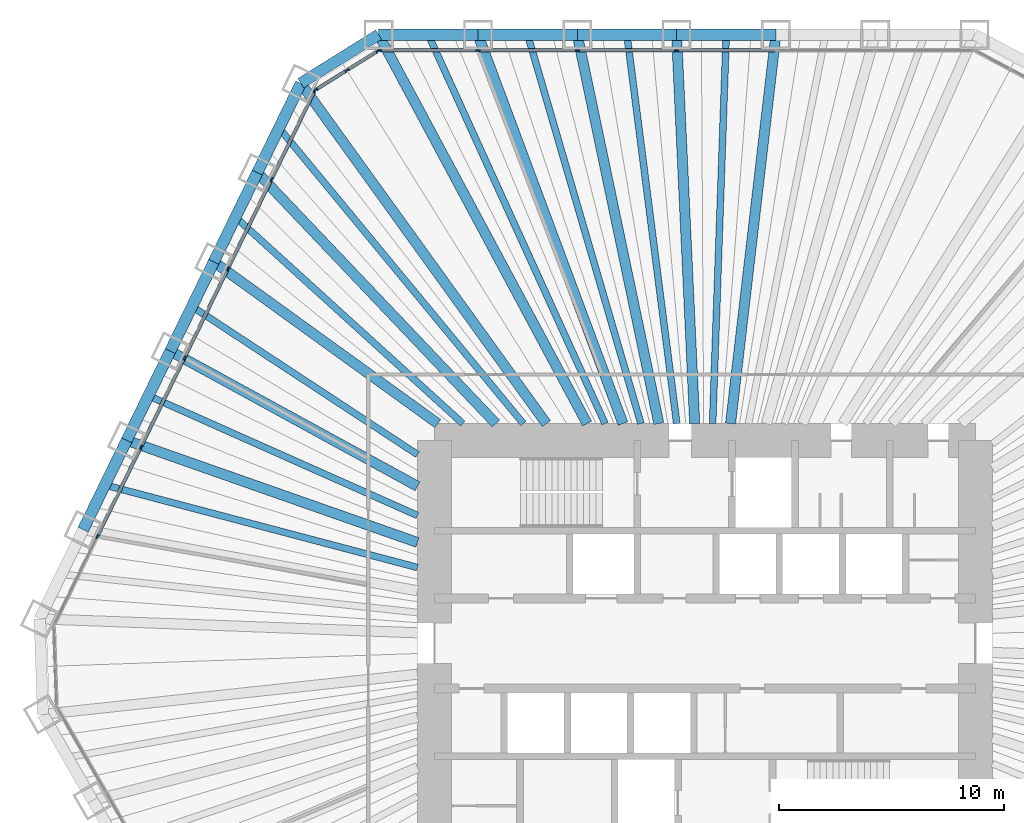
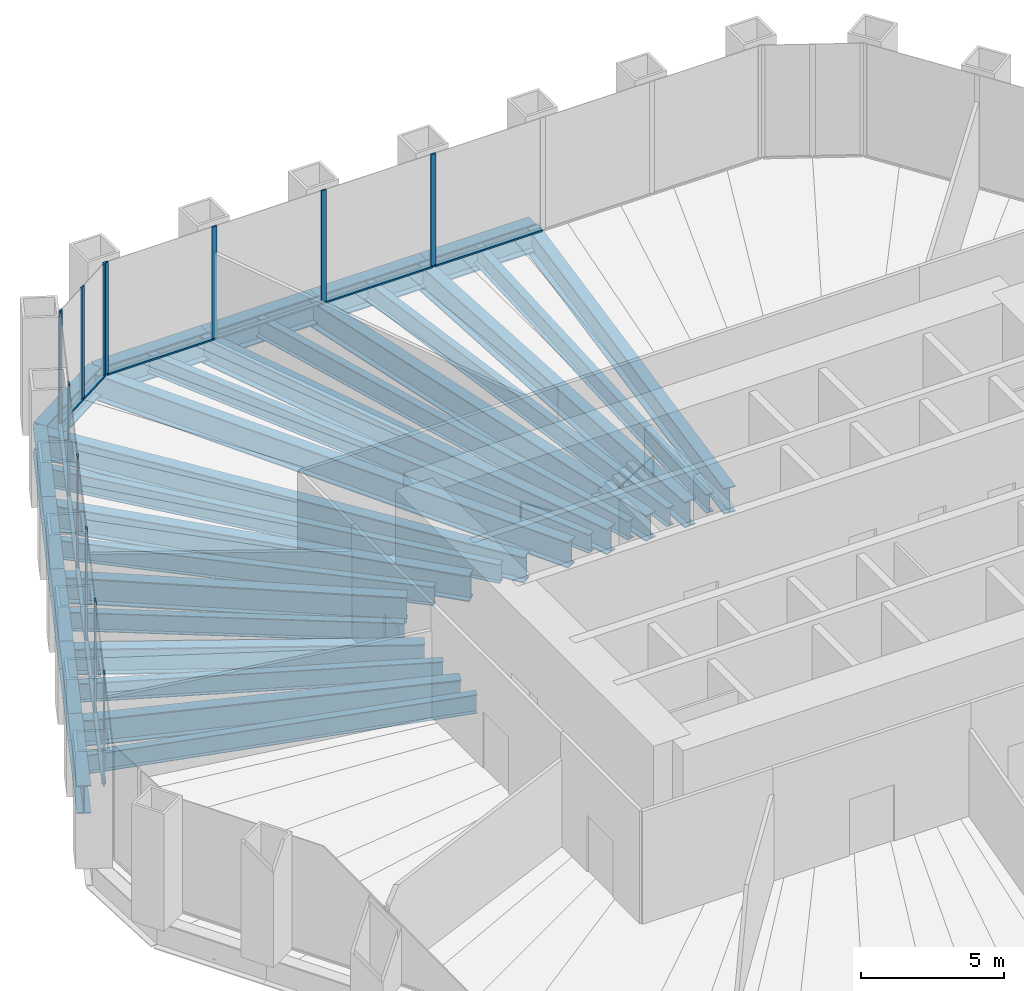
# One storey, part 6 of 13: 29 beams, 24 members, 3 elements without a shape of their own.
"""IFC4 building model written with IfcOpenShell, lengths in metres."""

from ifc_helpers import new_model, si_unit, direction, frame, origin, origin_2d, place, context, subcontext, project, spatial, rectangle, i_section, extrude, material, material_profile, profile_set, type_object, element, aggregate, save


model = new_model("IFC4")

# Units and contexts
model_context = context("Model", 3, precision=1e-05, world=origin(), true_north=direction((0.0, 1.0)))
body_context = subcontext(model_context, "Body", "Model", "MODEL_VIEW")
ifc_project = project(units=[si_unit("LENGTHUNIT", "METRE"), si_unit("AREAUNIT", "SQUARE_METRE"), si_unit("VOLUMEUNIT", "CUBIC_METRE"), si_unit("PLANEANGLEUNIT", "RADIAN"), si_unit("MASSUNIT", "GRAM", prefix="KILO")], contexts=[model_context])

# Site, building, storey
site_placement = place(None, origin())
site = spatial("IfcSite", under=ifc_project, at=site_placement, CompositionType="ELEMENT")
building_placement = place(site_placement, origin())
building = spatial("IfcBuilding", under=site, at=building_placement, Name="Qingtian Harvest Tower", CompositionType="ELEMENT")
storey_placement = place(building_placement, frame((0.0, 0.0, 22.0)))
storey = spatial("IfcBuildingStorey", under=building, at=storey_placement, Name="L04", CompositionType="ELEMENT", Elevation=22.0)

# Beams
ifc_material_1 = material(Name="Steel SM570MC", Category="steel")
ifc_material_profile_1 = material_profile(ifc_material_1, i_section(OverallWidth=0.449951171875, OverallDepth=1.10009765625, WebThickness=0.02197265625, FlangeThickness=0.044921875, at=origin_2d()), Name="H1100x450x22x45")
ifc_profile_set_1 = profile_set([ifc_material_profile_1], Name="Steel SM570MC")
beam_type_1 = type_object("IfcBeamType", Name="Corner floor beam FB8 H1100x450x22x45", PredefinedType="BEAM", material=ifc_profile_set_1)
beam_1_placement = place(storey_placement, frame((-14.471435546875, 27.0, -0.75), z_axis=(0.472401408299, -0.881383520062, 0.0), x_axis=(0.881383520062, 0.472401408299, 0.0)))
element("IfcBeam", 1, at=beam_1_placement, inside=storey, type_object=beam_type_1, Name="Floor beam FB8 N0", PredefinedType="BEAM", context=body_context, shape_type="SweptSolid", body=[
    extrude(i_section(OverallWidth=0.449951171875, OverallDepth=1.10009765625, WebThickness=0.02197265625, FlangeThickness=0.044921875, at=origin_2d()), origin(), (0.0, 0.0, 1.0), 19.571533203125),
])
beam_2_placement = place(storey_placement, frame((-17.923583984375, 24.8427734375, -0.75), z_axis=(0.585095822328, -0.810964166098, 0.0), x_axis=(0.810964166098, 0.585095822328, 0.0)))
element("IfcBeam", 2, at=beam_2_placement, inside=storey, type_object=beam_type_1, Name="Floor beam FB8 NW6", PredefinedType="BEAM", context=body_context, shape_type="SweptSolid", body=[
    extrude(i_section(OverallWidth=0.449951171875, OverallDepth=1.10009765625, WebThickness=0.02197265625, FlangeThickness=0.044921875, at=origin_2d()), origin(), (0.0, 0.0, 1.0), 18.61083984375),
])
ifc_material_2 = material(Name="Steel SM570MC", Category="steel")
ifc_material_profile_2 = material_profile(ifc_material_2, i_section(OverallWidth=0.449951171875, OverallDepth=1.10009765625, WebThickness=0.02197265625, FlangeThickness=0.044921875, at=origin_2d()), Name="H1100x450x22x45")
ifc_profile_set_2 = profile_set([ifc_material_profile_2], Name="Steel SM570MC")
beam_type_2 = type_object("IfcBeamType", Name="Floor beam FB1 H1100x450x22x45", PredefinedType="BEAM", material=ifc_profile_set_2)
beam_3_placement = place(storey_placement, frame((-10.06689453125, 27.0, -0.75), z_axis=(0.349355612113, -0.936990211414, 0.0), x_axis=(0.936990211414, 0.349355612113, 0.0)))
element("IfcBeam", 3, at=beam_3_placement, inside=storey, type_object=beam_type_2, Name="Floor beam FB1 N1", PredefinedType="BEAM", context=body_context, shape_type="SweptSolid", body=[
    extrude(i_section(OverallWidth=0.449951171875, OverallDepth=1.10009765625, WebThickness=0.02197265625, FlangeThickness=0.044921875, at=origin_2d()), origin(), (0.0, 0.0, 1.0), 18.409912109375),
])
beam_4_placement = place(storey_placement, frame((-5.662353515625, 27.0, -0.75), z_axis=(0.205255077335, -0.978708512903, 0.0), x_axis=(0.978708512903, 0.205255077335, 0.0)))
element("IfcBeam", 4, at=beam_4_placement, inside=storey, type_object=beam_type_2, Name="Floor beam FB1 N2", PredefinedType="BEAM", context=body_context, shape_type="SweptSolid", body=[
    extrude(i_section(OverallWidth=0.449951171875, OverallDepth=1.10009765625, WebThickness=0.02197265625, FlangeThickness=0.044921875, at=origin_2d()), origin(), (0.0, 0.0, 1.0), 17.625244140625),
])
beam_5_placement = place(storey_placement, frame((-1.257568359375, 27.0, -0.75), z_axis=(0.046527342366, -0.99891701678, 0.0), x_axis=(0.99891701678, 0.046527342366, 0.0)))
element("IfcBeam", 5, at=beam_5_placement, inside=storey, type_object=beam_type_2, Name="Floor beam FB1 N3", PredefinedType="BEAM", context=body_context, shape_type="SweptSolid", body=[
    extrude(i_section(OverallWidth=0.449951171875, OverallDepth=1.10009765625, WebThickness=0.02197265625, FlangeThickness=0.044921875, at=origin_2d()), origin(), (0.0, 0.0, 1.0), 17.268798828125),
])
beam_6_placement = place(storey_placement, frame((3.14697265625, 27.0, -0.75), z_axis=(-0.115766971807, -0.993276400726, 0.0), x_axis=(0.993276400726, -0.115766971807, 0.0)))
element("IfcBeam", 6, at=beam_6_placement, inside=storey, type_object=beam_type_2, Name="Floor beam FB1 N4", PredefinedType="BEAM", context=body_context, shape_type="SweptSolid", body=[
    extrude(i_section(OverallWidth=0.449951171875, OverallDepth=1.10009765625, WebThickness=0.02197265625, FlangeThickness=0.044921875, at=origin_2d()), origin(), (0.0, 0.0, 1.0), 17.36669921875),
])
beam_7_placement = place(storey_placement, frame((-25.64697265625, 9.007568359375, -0.75), z_axis=(0.943501950009, -0.331366972296, 0.0), x_axis=(0.331366972296, 0.943501950009, 0.0)))
element("IfcBeam", 7, at=beam_7_placement, inside=storey, type_object=beam_type_2, Name="Floor beam FB1 NW2", PredefinedType="BEAM", context=body_context, shape_type="SweptSolid", body=[
    extrude(i_section(OverallWidth=0.449951171875, OverallDepth=1.10009765625, WebThickness=0.02197265625, FlangeThickness=0.044921875, at=origin_2d()), origin(), (0.0, 0.0, 1.0), 13.669189453125),
])
beam_8_placement = place(storey_placement, frame((-23.716064453125, 12.96630859375, -0.75), z_axis=(0.877428569154, -0.479707312882, 0.0), x_axis=(0.479707312882, 0.877428569154, 0.0)))
element("IfcBeam", 8, at=beam_8_placement, inside=storey, type_object=beam_type_2, Name="Floor beam FB1 NW3", PredefinedType="BEAM", context=body_context, shape_type="SweptSolid", body=[
    extrude(i_section(OverallWidth=0.449951171875, OverallDepth=1.10009765625, WebThickness=0.02197265625, FlangeThickness=0.044921875, at=origin_2d()), origin(), (0.0, 0.0, 1.0), 12.498046875),
])
beam_9_placement = place(storey_placement, frame((-21.78515625, 16.92529296875, -0.75), z_axis=(0.810680279019, -0.585489099139, 0.0), x_axis=(0.585489099139, 0.810680279019, 0.0)))
element("IfcBeam", 9, at=beam_9_placement, inside=storey, type_object=beam_type_2, Name="Floor beam FB1 NW4", PredefinedType="BEAM", context=body_context, shape_type="SweptSolid", body=[
    extrude(i_section(OverallWidth=0.449951171875, OverallDepth=1.10009765625, WebThickness=0.02197265625, FlangeThickness=0.044921875, at=origin_2d()), origin(), (0.0, 0.0, 1.0), 12.255126953125),
])
beam_10_placement = place(storey_placement, frame((-19.8544921875, 20.884033203125, -0.75), z_axis=(0.689018801535, -0.724743465739, 0.0), x_axis=(0.724743465739, 0.689018801535, 0.0)))
element("IfcBeam", 10, at=beam_10_placement, inside=storey, type_object=beam_type_2, Name="Floor beam FB1 NW5", PredefinedType="BEAM", context=body_context, shape_type="SweptSolid", body=[
    extrude(i_section(OverallWidth=0.449951171875, OverallDepth=1.10009765625, WebThickness=0.02197265625, FlangeThickness=0.044921875, at=origin_2d()), origin(), (0.0, 0.0, 1.0), 15.36279296875),
])
ifc_material_3 = material(Name="Steel SN490B", Category="steel")
ifc_material_profile_3 = material_profile(ifc_material_3, i_section(OverallWidth=0.300048828125, OverallDepth=0.800048828125, WebThickness=0.013916015625, FlangeThickness=0.02587890625, at=origin_2d()), Name="H800x300x14x26")
ifc_profile_set_3 = profile_set([ifc_material_profile_3], Name="Steel SN490B")
beam_type_3 = type_object("IfcBeamType", Name="Floor joist J1 H800x300x14x26", PredefinedType="JOIST", material=ifc_profile_set_3)
beam_11_placement = place(storey_placement, frame((-12.269287109375, 27.0, -0.60009765625), z_axis=(0.413713629402, -0.910407069858, 0.0), x_axis=(0.910407069858, 0.413713629402, 0.0)))
element("IfcBeam", 11, at=beam_11_placement, inside=storey, type_object=beam_type_3, Name="Floor joist J1 N0", PredefinedType="JOIST", context=body_context, shape_type="SweptSolid", body=[
    extrude(i_section(OverallWidth=0.300048828125, OverallDepth=0.800048828125, WebThickness=0.013916015625, FlangeThickness=0.02587890625, at=origin_2d()), origin(), (0.0, 0.0, 1.0), 18.947509765625),
])
beam_12_placement = place(storey_placement, frame((-7.864501953125, 27.0, -0.60009765625), z_axis=(0.279649335299, -0.960102207719, 0.0), x_axis=(0.960102207719, 0.279649335299, 0.0)))
element("IfcBeam", 12, at=beam_12_placement, inside=storey, type_object=beam_type_3, Name="Floor joist J1 N1", PredefinedType="JOIST", context=body_context, shape_type="SweptSolid", body=[
    extrude(i_section(OverallWidth=0.300048828125, OverallDepth=0.800048828125, WebThickness=0.013916015625, FlangeThickness=0.02587890625, at=origin_2d()), origin(), (0.0, 0.0, 1.0), 17.966796875),
])
beam_13_placement = place(storey_placement, frame((-3.4599609375, 27.0, -0.60009765625), z_axis=(0.127102696173, -0.991889562716, 0.0), x_axis=(0.991889562716, 0.127102696173, 0.0)))
element("IfcBeam", 13, at=beam_13_placement, inside=storey, type_object=beam_type_3, Name="Floor joist J1 N2", PredefinedType="JOIST", context=body_context, shape_type="SweptSolid", body=[
    extrude(i_section(OverallWidth=0.300048828125, OverallDepth=0.800048828125, WebThickness=0.013916015625, FlangeThickness=0.02587890625, at=origin_2d()), origin(), (0.0, 0.0, 1.0), 17.39111328125),
])
beam_14_placement = place(storey_placement, frame((0.944580078125, 27.0, -0.60009765625), z_axis=(-0.034965020137, -0.99938853674, 0.0), x_axis=(0.99938853674, -0.034965020137, 0.0)))
element("IfcBeam", 14, at=beam_14_placement, inside=storey, type_object=beam_type_3, Name="Floor joist J1 N3", PredefinedType="JOIST", context=body_context, shape_type="SweptSolid", body=[
    extrude(i_section(OverallWidth=0.300048828125, OverallDepth=0.800048828125, WebThickness=0.013916015625, FlangeThickness=0.02587890625, at=origin_2d()), origin(), (0.0, 0.0, 1.0), 17.260498046875),
])
beam_15_placement = place(storey_placement, frame((-26.6123046875, 7.028076171875, -0.60009765625), z_axis=(0.966852496992, -0.255335561684, 0.0), x_axis=(0.255335561684, 0.966852496992, 0.0)))
element("IfcBeam", 15, at=beam_15_placement, inside=storey, type_object=beam_type_3, Name="Floor joist J1 NW1", PredefinedType="JOIST", context=body_context, shape_type="SweptSolid", body=[
    extrude(i_section(OverallWidth=0.300048828125, OverallDepth=0.800048828125, WebThickness=0.013916015625, FlangeThickness=0.02587890625, at=origin_2d()), origin(), (0.0, 0.0, 1.0), 14.337646484375),
])
beam_16_placement = place(storey_placement, frame((-24.681640625, 10.987060546875, -0.60009765625), z_axis=(0.913567796195, -0.406686466157, 0.0), x_axis=(0.406686466157, 0.913567796195, 0.0)))
element("IfcBeam", 16, at=beam_16_placement, inside=storey, type_object=beam_type_3, Name="Floor joist J1 NW2", PredefinedType="JOIST", context=body_context, shape_type="SweptSolid", body=[
    extrude(i_section(OverallWidth=0.300048828125, OverallDepth=0.800048828125, WebThickness=0.013916015625, FlangeThickness=0.02587890625, at=origin_2d()), origin(), (0.0, 0.0, 1.0), 13.060546875),
])
beam_17_placement = place(storey_placement, frame((-22.750732421875, 14.94580078125, -0.60009765625), z_axis=(0.835785467613, -0.549056146607, 0.0), x_axis=(0.549056146607, 0.835785467613, 0.0)))
element("IfcBeam", 17, at=beam_17_placement, inside=storey, type_object=beam_type_3, Name="Floor joist J1 NW3", PredefinedType="JOIST", context=body_context, shape_type="SweptSolid", body=[
    extrude(i_section(OverallWidth=0.300048828125, OverallDepth=0.800048828125, WebThickness=0.013916015625, FlangeThickness=0.02587890625, at=origin_2d()), origin(), (0.0, 0.0, 1.0), 11.965576171875),
])
beam_18_placement = place(storey_placement, frame((-20.81982421875, 18.904541015625, -0.60009765625), z_axis=(0.740339866926, -0.672232758381, 0.0), x_axis=(0.672232758381, 0.740339866926, 0.0)))
element("IfcBeam", 18, at=beam_18_placement, inside=storey, type_object=beam_type_3, Name="Floor joist J1 NW4", PredefinedType="JOIST", context=body_context, shape_type="SweptSolid", body=[
    extrude(i_section(OverallWidth=0.300048828125, OverallDepth=0.800048828125, WebThickness=0.013916015625, FlangeThickness=0.02587890625, at=origin_2d()), origin(), (0.0, 0.0, 1.0), 13.6181640625),
])
beam_19_placement = place(storey_placement, frame((-18.888916015625, 22.863525390625, -0.60009765625), z_axis=(0.636910378144, -0.77093785107, 0.0), x_axis=(0.77093785107, 0.636910378144, 0.0)))
element("IfcBeam", 19, at=beam_19_placement, inside=storey, type_object=beam_type_3, Name="Floor joist J1 NW5", PredefinedType="JOIST", context=body_context, shape_type="SweptSolid", body=[
    extrude(i_section(OverallWidth=0.300048828125, OverallDepth=0.800048828125, WebThickness=0.013916015625, FlangeThickness=0.02587890625, at=origin_2d()), origin(), (0.0, 0.0, 1.0), 17.009765625),
])

# Curtain wall, members
ifc_material_4 = material(Name="Bronze-anodised aluminium curtain wall", Category="aluminium")
curtain_wall_type = type_object("IfcCurtainWallType", Name="Curtain wall CW2 farm reception", PredefinedType="USERDEFINED", material=ifc_material_4)
curtain_wall_1_placement = place(storey_placement, origin())
curtain_wall_1 = element("IfcCurtainWall", 20, at=curtain_wall_1_placement, inside=storey, type_object=curtain_wall_type, Name="Curtain wall CW2 L04 N0-5", ObjectType="RECESSED CURTAIN WALL", PredefinedType="USERDEFINED")
ifc_material_5 = material(Name="Bronze-anodised aluminium mullion", Category="aluminium")
ifc_material_profile_4 = material_profile(ifc_material_5, rectangle(XDim=0.06494140625, YDim=0.199951171875, at=origin_2d()), Name="AL 65x200")
ifc_profile_set_4 = profile_set([ifc_material_profile_4], Name="Bronze-anodised aluminium mullion")
member_type_1 = type_object("IfcMemberType", Name="Mullion CWM 65x200", PredefinedType="MULLION", material=ifc_profile_set_4)
member_1_placement = place(storey_placement, frame((-14.43896484375, 26.300048828125, 0.0), z_axis=(0.0, 0.0, 1.0), x_axis=(0.0, 1.0, 0.0)))
member_1 = element("IfcMember", 21, at=member_1_placement, type_object=member_type_1, Name="CW2 mullion 1", PredefinedType="MULLION", context=body_context, shape_type="SweptSolid", body=[
    extrude(rectangle(XDim=0.06494140625, YDim=0.199951171875, at=origin_2d()), origin(), (0.0, 0.0, 1.0), 4.800048828125),
])
member_2_placement = place(storey_placement, frame((-10.06689453125, 26.300048828125, 0.0), z_axis=(0.0, 0.0, 1.0), x_axis=(0.0, 1.0, 0.0)))
member_2 = element("IfcMember", 22, at=member_2_placement, type_object=member_type_1, Name="CW2 mullion 2", PredefinedType="MULLION", context=body_context, shape_type="SweptSolid", body=[
    extrude(rectangle(XDim=0.06494140625, YDim=0.199951171875, at=origin_2d()), origin(), (0.0, 0.0, 1.0), 4.800048828125),
])
member_3_placement = place(storey_placement, frame((-5.662353515625, 26.300048828125, 0.0), z_axis=(0.0, 0.0, 1.0), x_axis=(0.0, 1.0, 0.0)))
member_3 = element("IfcMember", 23, at=member_3_placement, type_object=member_type_1, Name="CW2 mullion 3", PredefinedType="MULLION", context=body_context, shape_type="SweptSolid", body=[
    extrude(rectangle(XDim=0.06494140625, YDim=0.199951171875, at=origin_2d()), origin(), (0.0, 0.0, 1.0), 4.800048828125),
])
member_4_placement = place(storey_placement, frame((-1.257568359375, 26.300048828125, 0.0), z_axis=(0.0, 0.0, 1.0), x_axis=(0.0, 1.0, 0.0)))
member_4 = element("IfcMember", 24, at=member_4_placement, type_object=member_type_1, Name="CW2 mullion 4", PredefinedType="MULLION", context=body_context, shape_type="SweptSolid", body=[
    extrude(rectangle(XDim=0.06494140625, YDim=0.199951171875, at=origin_2d()), origin(), (0.0, 0.0, 1.0), 4.800048828125),
])

curtain_wall_2_placement = place(storey_placement, origin())
curtain_wall_2 = element("IfcCurtainWall", 25, at=curtain_wall_2_placement, inside=storey, type_object=curtain_wall_type, Name="Curtain wall CW2 L04 NW0-5", ObjectType="RECESSED CURTAIN WALL", PredefinedType="USERDEFINED")
member_5_placement = place(storey_placement, frame((-26.94873046875, 4.741943359375, 0.0), z_axis=(0.0, 0.0, 1.0), x_axis=(-0.898794046299, 0.438371146789, 0.0)))
member_5 = element("IfcMember", 26, at=member_5_placement, type_object=member_type_1, Name="CW2 mullion 2", PredefinedType="MULLION", context=body_context, shape_type="SweptSolid", body=[
    extrude(rectangle(XDim=0.06494140625, YDim=0.199951171875, at=origin_2d()), origin(), (0.0, 0.0, 1.0), 4.800048828125),
])
member_6_placement = place(storey_placement, frame((-25.017822265625, 8.70068359375, 0.0), z_axis=(0.0, 0.0, 1.0), x_axis=(-0.898794046299, 0.438371146789, 0.0)))
member_6 = element("IfcMember", 27, at=member_6_placement, type_object=member_type_1, Name="CW2 mullion 3", PredefinedType="MULLION", context=body_context, shape_type="SweptSolid", body=[
    extrude(rectangle(XDim=0.06494140625, YDim=0.199951171875, at=origin_2d()), origin(), (0.0, 0.0, 1.0), 4.800048828125),
])
member_7_placement = place(storey_placement, frame((-23.0869140625, 12.659423828125, 0.0), z_axis=(0.0, 0.0, 1.0), x_axis=(-0.898794046299, 0.438371146789, 0.0)))
member_7 = element("IfcMember", 28, at=member_7_placement, type_object=member_type_1, Name="CW2 mullion 4", PredefinedType="MULLION", context=body_context, shape_type="SweptSolid", body=[
    extrude(rectangle(XDim=0.06494140625, YDim=0.199951171875, at=origin_2d()), origin(), (0.0, 0.0, 1.0), 4.800048828125),
])
member_8_placement = place(storey_placement, frame((-21.156005859375, 16.618408203125, 0.0), z_axis=(0.0, 0.0, 1.0), x_axis=(-0.898794046299, 0.438371146789, 0.0)))
member_8 = element("IfcMember", 29, at=member_8_placement, type_object=member_type_1, Name="CW2 mullion 5", PredefinedType="MULLION", context=body_context, shape_type="SweptSolid", body=[
    extrude(rectangle(XDim=0.06494140625, YDim=0.199951171875, at=origin_2d()), origin(), (0.0, 0.0, 1.0), 4.800048828125),
])
member_9_placement = place(storey_placement, frame((-19.225341796875, 20.5771484375, 0.0), z_axis=(0.0, 0.0, 1.0), x_axis=(-0.898794046299, 0.438371146789, 0.0)))
member_9 = element("IfcMember", 30, at=member_9_placement, type_object=member_type_1, Name="CW2 mullion 6", PredefinedType="MULLION", context=body_context, shape_type="SweptSolid", body=[
    extrude(rectangle(XDim=0.06494140625, YDim=0.199951171875, at=origin_2d()), origin(), (0.0, 0.0, 1.0), 4.800048828125),
])
member_10_placement = place(storey_placement, frame((-17.30859375, 24.5068359375, 0.0), z_axis=(0.0, 0.0, 1.0), x_axis=(-0.898794046299, 0.438371146789, 0.0)))
member_10 = element("IfcMember", 31, at=member_10_placement, type_object=member_type_1, Name="CW2 mullion 7", PredefinedType="MULLION", context=body_context, shape_type="SweptSolid", body=[
    extrude(rectangle(XDim=0.06494140625, YDim=0.199951171875, at=origin_2d()), origin(), (0.0, 0.0, 1.0), 4.800048828125),
])

curtain_wall_3_placement = place(storey_placement, origin())
curtain_wall_3 = element("IfcCurtainWall", 32, at=curtain_wall_3_placement, inside=storey, type_object=curtain_wall_type, Name="Curtain wall CW2 L04 NWC", ObjectType="RECESSED CURTAIN WALL", PredefinedType="USERDEFINED")
member_11_placement = place(storey_placement, frame((-17.266845703125, 24.55322265625, 0.0), z_axis=(0.0, 0.0, 1.0), x_axis=(-0.529919264233, 0.848048096156, 0.0)))
member_11 = element("IfcMember", 33, at=member_11_placement, type_object=member_type_1, Name="CW2 mullion 1", PredefinedType="MULLION", context=body_context, shape_type="SweptSolid", body=[
    extrude(rectangle(XDim=0.06494140625, YDim=0.199951171875, at=origin_2d()), origin(), (0.0, 0.0, 1.0), 4.800048828125),
])
member_12_placement = place(storey_placement, frame((-15.883056640625, 25.41796875, 0.0), z_axis=(0.0, 0.0, 1.0), x_axis=(-0.529919264233, 0.848048096156, 0.0)))
member_12 = element("IfcMember", 34, at=member_12_placement, type_object=member_type_1, Name="CW2 mullion 2", PredefinedType="MULLION", context=body_context, shape_type="SweptSolid", body=[
    extrude(rectangle(XDim=0.06494140625, YDim=0.199951171875, at=origin_2d()), origin(), (0.0, 0.0, 1.0), 4.800048828125),
])
member_13_placement = place(storey_placement, frame((-14.4990234375, 26.28271484375, 0.0), z_axis=(0.0, 0.0, 1.0), x_axis=(-0.529919264233, 0.848048096156, 0.0)))
member_13 = element("IfcMember", 35, at=member_13_placement, type_object=member_type_1, Name="CW2 mullion 3", PredefinedType="MULLION", context=body_context, shape_type="SweptSolid", body=[
    extrude(rectangle(XDim=0.06494140625, YDim=0.199951171875, at=origin_2d()), origin(), (0.0, 0.0, 1.0), 4.800048828125),
])

# Beams
ifc_material_6 = material(Name="Steel SM570MC", Category="steel")
ifc_material_profile_5 = material_profile(ifc_material_6, i_section(OverallWidth=0.5, OverallDepth=1.199951171875, WebThickness=0.02490234375, FlangeThickness=0.050048828125, at=origin_2d()), Name="H1200x500x25x50")
ifc_profile_set_5 = profile_set([ifc_material_profile_5], Name="Steel SM570MC")
beam_type_4 = type_object("IfcBeamType", Name="Spandrel beam SB1 H1200x500x25x50", PredefinedType="SPANDREL", material=ifc_profile_set_5)
for number, where, z_axis, x_axis, name in (
    (36, (-14.471435546875, 27.0, -0.60009765625), (1.0, 0.0, 0.0), (0.0, 1.0, 0.0), "Spandrel SB1 N0"),
    (37, (-10.06689453125, 27.0, -0.60009765625), (1.0, 0.0, 0.0), (0.0, 1.0, 0.0), "Spandrel SB1 N1"),
):
    element("IfcBeam", number, at=place(storey_placement, frame(where, z_axis=z_axis, x_axis=x_axis)), inside=storey, type_object=beam_type_4, Name=name, PredefinedType="SPANDREL", context=body_context, shape_type="SweptSolid", body=[
        extrude(i_section(OverallWidth=0.5, OverallDepth=1.199951171875, WebThickness=0.02490234375, FlangeThickness=0.050048828125, at=origin_2d()), origin(), (0.0, 0.0, 1.0), 4.404541015625),
    ])
beam_20_placement = place(storey_placement, frame((-5.662353515625, 27.0, -0.60009765625), z_axis=(1.0, 0.0, 0.0), x_axis=(0.0, 1.0, 0.0)))
element("IfcBeam", 38, at=beam_20_placement, inside=storey, type_object=beam_type_4, Name="Spandrel SB1 N2", PredefinedType="SPANDREL", context=body_context, shape_type="SweptSolid", body=[
    extrude(i_section(OverallWidth=0.5, OverallDepth=1.199951171875, WebThickness=0.02490234375, FlangeThickness=0.050048828125, at=origin_2d()), origin(), (0.0, 0.0, 1.0), 4.40478515625),
])
for number, where, z_axis, x_axis, name in (
    (39, (-1.257568359375, 27.0, -0.60009765625), (1.0, 0.0, 0.0), (0.0, 1.0, 0.0), "Spandrel SB1 N3"),
    (40, (-27.577880859375, 5.048828125, -0.60009765625), (0.438389777529, 0.898784959241, 0.0), (-0.898784959241, 0.438389777529, 0.0), "Spandrel SB1 NW1"),
    (41, (-25.64697265625, 9.007568359375, -0.60009765625), (0.438389777529, 0.898784959241, 0.0), (-0.898784959241, 0.438389777529, 0.0), "Spandrel SB1 NW2"),
):
    element("IfcBeam", number, at=place(storey_placement, frame(where, z_axis=z_axis, x_axis=x_axis)), inside=storey, type_object=beam_type_4, Name=name, PredefinedType="SPANDREL", context=body_context, shape_type="SweptSolid", body=[
        extrude(i_section(OverallWidth=0.5, OverallDepth=1.199951171875, WebThickness=0.02490234375, FlangeThickness=0.050048828125, at=origin_2d()), origin(), (0.0, 0.0, 1.0), 4.404541015625),
    ])
beam_21_placement = place(storey_placement, frame((-23.716064453125, 12.96630859375, -0.60009765625), z_axis=(0.438367938366, 0.898795611145, 0.0), x_axis=(-0.898795611145, 0.438367938366, 0.0)))
element("IfcBeam", 42, at=beam_21_placement, inside=storey, type_object=beam_type_4, Name="Spandrel SB1 NW3", PredefinedType="SPANDREL", context=body_context, shape_type="SweptSolid", body=[
    extrude(i_section(OverallWidth=0.5, OverallDepth=1.199951171875, WebThickness=0.02490234375, FlangeThickness=0.050048828125, at=origin_2d()), origin(), (0.0, 0.0, 1.0), 4.40478515625),
])
for number, where, z_axis, x_axis, name in (
    (43, (-21.78515625, 16.92529296875, -0.60009765625), (0.438344999367, 0.898806798778, 0.0), (-0.898806798778, 0.438344999367, 0.0), "Spandrel SB1 NW4"),
    (44, (-19.8544921875, 20.884033203125, -0.60009765625), (0.438389777529, 0.898784959241, 0.0), (-0.898784959241, 0.438389777529, 0.0), "Spandrel SB1 NW5"),
):
    element("IfcBeam", number, at=place(storey_placement, frame(where, z_axis=z_axis, x_axis=x_axis)), inside=storey, type_object=beam_type_4, Name=name, PredefinedType="SPANDREL", context=body_context, shape_type="SweptSolid", body=[
        extrude(i_section(OverallWidth=0.5, OverallDepth=1.199951171875, WebThickness=0.02490234375, FlangeThickness=0.050048828125, at=origin_2d()), origin(), (0.0, 0.0, 1.0), 4.404541015625),
    ])
beam_22_placement = place(storey_placement, frame((-17.923583984375, 24.8427734375, -0.60009765625), z_axis=(0.848038733752, 0.529934246919, 0.0), x_axis=(-0.529934246919, 0.848038733752, 0.0)))
element("IfcBeam", 45, at=beam_22_placement, inside=storey, type_object=beam_type_4, Name="Spandrel SB1 NWC", PredefinedType="SPANDREL", context=body_context, shape_type="SweptSolid", body=[
    extrude(i_section(OverallWidth=0.5, OverallDepth=1.199951171875, WebThickness=0.02490234375, FlangeThickness=0.050048828125, at=origin_2d()), origin(), (0.0, 0.0, 1.0), 4.07080078125),
])

# Member
ifc_material_7 = material(Name="Bronze-anodised aluminium transom", Category="aluminium")
ifc_material_profile_6 = material_profile(ifc_material_7, rectangle(XDim=0.14990234375, YDim=0.06494140625, at=origin_2d()), Name="AL 65x150")
ifc_profile_set_6 = profile_set([ifc_material_profile_6], Name="Bronze-anodised aluminium transom")
member_type_2 = type_object("IfcMemberType", Name="Transom CWT 65x150", PredefinedType="USERDEFINED", material=ifc_profile_set_6)
member_14_placement = place(storey_placement, frame((-14.406494140625, 26.300048828125, 0.032470703125), z_axis=(1.0, 0.0, 0.0), x_axis=(0.0, 1.0, 0.0)))
member_14 = element("IfcMember", 46, at=member_14_placement, type_object=member_type_2, Name="CW2 transom 1.1", ObjectType="TRANSOM", PredefinedType="USERDEFINED", context=body_context, shape_type="SweptSolid", body=[
    extrude(rectangle(XDim=0.14990234375, YDim=0.06494140625, at=origin_2d()), origin(), (0.0, 0.0, 1.0), 4.30712890625),
])

member_15_placement = place(storey_placement, frame((-10.034423828125, 26.300048828125, 0.032470703125), z_axis=(1.0, 0.0, 0.0), x_axis=(0.0, 1.0, 0.0)))
member_15 = element("IfcMember", 47, at=member_15_placement, type_object=member_type_2, Name="CW2 transom 2.1", ObjectType="TRANSOM", PredefinedType="USERDEFINED", context=body_context, shape_type="SweptSolid", body=[
    extrude(rectangle(XDim=0.14990234375, YDim=0.06494140625, at=origin_2d()), origin(), (0.0, 0.0, 1.0), 4.339599609375),
])

member_16_placement = place(storey_placement, frame((-5.6298828125, 26.300048828125, 0.032470703125), z_axis=(1.0, 0.0, 0.0), x_axis=(0.0, 1.0, 0.0)))
member_16 = element("IfcMember", 48, at=member_16_placement, type_object=member_type_2, Name="CW2 transom 3.1", ObjectType="TRANSOM", PredefinedType="USERDEFINED", context=body_context, shape_type="SweptSolid", body=[
    extrude(rectangle(XDim=0.14990234375, YDim=0.06494140625, at=origin_2d()), origin(), (0.0, 0.0, 1.0), 4.33984375),
])

member_17_placement = place(storey_placement, frame((-1.22509765625, 26.300048828125, 0.032470703125), z_axis=(1.0, 0.0, 0.0), x_axis=(0.0, 1.0, 0.0)))
member_17 = element("IfcMember", 49, at=member_17_placement, type_object=member_type_2, Name="CW2 transom 4.1", ObjectType="TRANSOM", PredefinedType="USERDEFINED", context=body_context, shape_type="SweptSolid", body=[
    extrude(rectangle(XDim=0.14990234375, YDim=0.06494140625, at=origin_2d()), origin(), (0.0, 0.0, 1.0), 4.339599609375),
])

aggregate(curtain_wall_1, [member_1, member_2, member_3, member_4, member_14, member_15, member_16, member_17])

member_18_placement = place(storey_placement, frame((-26.934326171875, 4.77099609375, 0.032470703125), z_axis=(0.438370427127, 0.898794397302, 0.0), x_axis=(-0.898794397302, 0.438370427127, 0.0)))
member_18 = element("IfcMember", 50, at=member_18_placement, type_object=member_type_2, Name="CW2 transom 2.1", ObjectType="TRANSOM", PredefinedType="USERDEFINED", context=body_context, shape_type="SweptSolid", body=[
    extrude(rectangle(XDim=0.14990234375, YDim=0.06494140625, at=origin_2d()), origin(), (0.0, 0.0, 1.0), 4.339599609375),
])

member_19_placement = place(storey_placement, frame((-25.003662109375, 8.72998046875, 0.032470703125), z_axis=(0.438370427127, 0.898794397302, 0.0), x_axis=(-0.898794397302, 0.438370427127, 0.0)))
member_19 = element("IfcMember", 51, at=member_19_placement, type_object=member_type_2, Name="CW2 transom 3.1", ObjectType="TRANSOM", PredefinedType="USERDEFINED", context=body_context, shape_type="SweptSolid", body=[
    extrude(rectangle(XDim=0.14990234375, YDim=0.06494140625, at=origin_2d()), origin(), (0.0, 0.0, 1.0), 4.339599609375),
])

member_20_placement = place(storey_placement, frame((-23.07275390625, 12.688720703125, 0.032470703125), z_axis=(0.438370427127, 0.898794397302, 0.0), x_axis=(-0.898794397302, 0.438370427127, 0.0)))
member_20 = element("IfcMember", 52, at=member_20_placement, type_object=member_type_2, Name="CW2 transom 4.1", ObjectType="TRANSOM", PredefinedType="USERDEFINED", context=body_context, shape_type="SweptSolid", body=[
    extrude(rectangle(XDim=0.14990234375, YDim=0.06494140625, at=origin_2d()), origin(), (0.0, 0.0, 1.0), 4.339599609375),
])

member_21_placement = place(storey_placement, frame((-21.141845703125, 16.6474609375, 0.032470703125), z_axis=(0.438348261778, 0.898805207704, 0.0), x_axis=(-0.898805207704, 0.438348261778, 0.0)))
member_21 = element("IfcMember", 53, at=member_21_placement, type_object=member_type_2, Name="CW2 transom 5.1", ObjectType="TRANSOM", PredefinedType="USERDEFINED", context=body_context, shape_type="SweptSolid", body=[
    extrude(rectangle(XDim=0.14990234375, YDim=0.06494140625, at=origin_2d()), origin(), (0.0, 0.0, 1.0), 4.33984375),
])

member_22_placement = place(storey_placement, frame((-19.2109375, 20.6064453125, 0.032470703125), z_axis=(0.438348803491, 0.89880494351, 0.0), x_axis=(-0.89880494351, 0.438348803491, 0.0)))
member_22 = element("IfcMember", 54, at=member_22_placement, type_object=member_type_2, Name="CW2 transom 6.1", ObjectType="TRANSOM", PredefinedType="USERDEFINED", context=body_context, shape_type="SweptSolid", body=[
    extrude(rectangle(XDim=0.14990234375, YDim=0.06494140625, at=origin_2d()), origin(), (0.0, 0.0, 1.0), 4.306884765625),
])

aggregate(curtain_wall_2, [member_5, member_6, member_7, member_8, member_9, member_10, member_18, member_19, member_20, member_21, member_22])

member_23_placement = place(storey_placement, frame((-17.2392578125, 24.570556640625, 0.032470703125), z_axis=(0.848059570903, 0.529900900357, 0.0), x_axis=(-0.529900900357, 0.848059570903, 0.0)))
member_23 = element("IfcMember", 55, at=member_23_placement, type_object=member_type_2, Name="CW2 transom 1.1", ObjectType="TRANSOM", PredefinedType="USERDEFINED", context=body_context, shape_type="SweptSolid", body=[
    extrude(rectangle(XDim=0.14990234375, YDim=0.06494140625, at=origin_2d()), origin(), (0.0, 0.0, 1.0), 1.56689453125),
])

member_24_placement = place(storey_placement, frame((-15.85546875, 25.435302734375, 0.032470703125), z_axis=(0.848059570903, 0.529900900357, 0.0), x_axis=(-0.529900900357, 0.848059570903, 0.0)))
member_24 = element("IfcMember", 56, at=member_24_placement, type_object=member_type_2, Name="CW2 transom 2.1", ObjectType="TRANSOM", PredefinedType="USERDEFINED", context=body_context, shape_type="SweptSolid", body=[
    extrude(rectangle(XDim=0.14990234375, YDim=0.06494140625, at=origin_2d()), origin(), (0.0, 0.0, 1.0), 1.56689453125),
])

aggregate(curtain_wall_3, [member_11, member_12, member_13, member_23, member_24])

save(model, "model.ifc")
